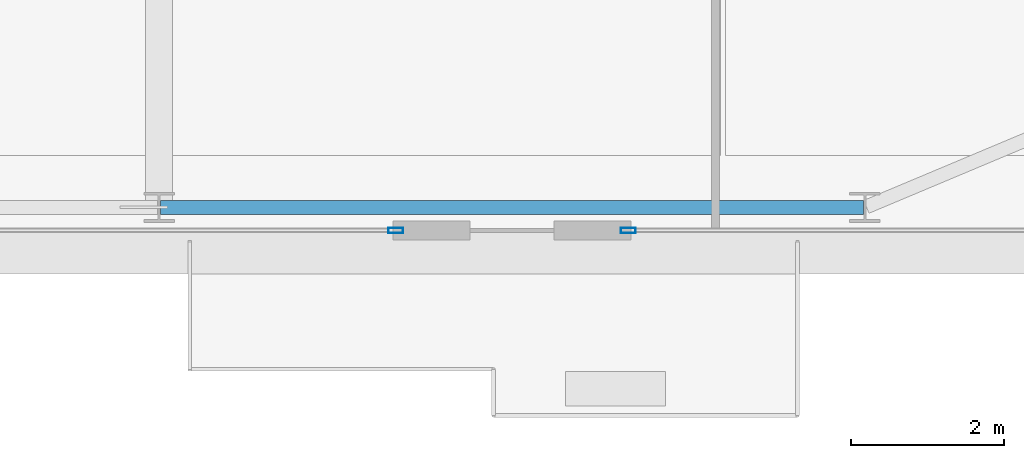
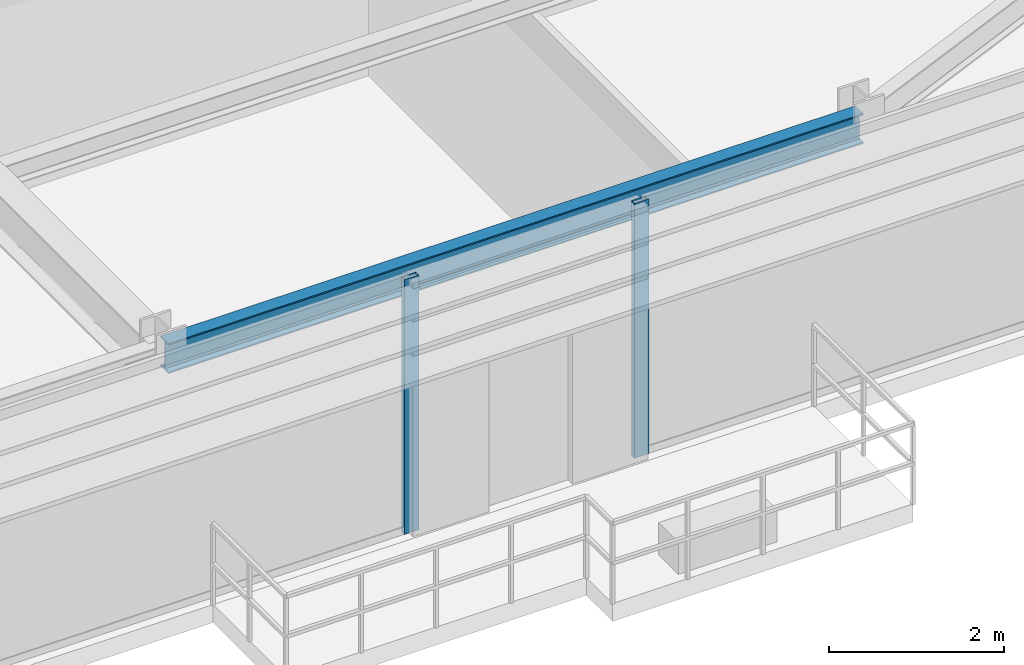
# One storey, part 12 of 36: 2 members, 1 beam, 2 elements without a shape of their own.
"""IFC4 building model written with IfcOpenShell, lengths in metres."""

from ifc_helpers import new_model, si_unit, direction, frame, origin, origin_2d, place, context, subcontext, project, spatial, hollow_rectangle, i_section, extrude, source, transform, mapped, material, layer, layer_set, material_profile, profile_set, type_object, type_shapes, element, aggregate, save


model = new_model("IFC4")

# Units and contexts
model_context = context("Model", 3, precision=1e-05, world=origin(), true_north=direction((0.0, 1.0)))
body_context = subcontext(model_context, "Body", "Model", "MODEL_VIEW")
ifc_project = project(units=[si_unit("LENGTHUNIT", "METRE"), si_unit("AREAUNIT", "SQUARE_METRE"), si_unit("VOLUMEUNIT", "CUBIC_METRE"), si_unit("PLANEANGLEUNIT", "RADIAN"), si_unit("MASSUNIT", "GRAM", prefix="KILO")], contexts=[model_context])

# Site, building, storey
site_placement = place(None, origin())
site = spatial("IfcSite", under=ifc_project, at=site_placement, CompositionType="ELEMENT")
building_placement = place(site_placement, origin())
building = spatial("IfcBuilding", under=site, at=building_placement, Name="Varnel Quay Broadcast Tower", CompositionType="ELEMENT")
storey_placement = place(building_placement, frame((0.0, 0.0, 114.39990234375)))
storey = spatial("IfcBuildingStorey", under=building, at=storey_placement, Name="L27", CompositionType="ELEMENT", Elevation=114.39990234375)

# Beam
ifc_material_1 = material(Name="Structural Steel CSA G40.21 350W", Category="steel")
ifc_material_profile_1 = material_profile(ifc_material_1, i_section(OverallWidth=0.180908203125, OverallDepth=0.4169921875, WebThickness=0.010986328125, FlangeThickness=0.018310546875, FilletRadius=0.011962890625, at=origin_2d()), Name="W410X85")
ifc_profile_set_1 = profile_set([ifc_material_profile_1], Name="Structural Steel CSA G40.21 350W")
beam_type = type_object("IfcBeamType", Name="Beam_W410X85", PredefinedType="SPANDREL", material=ifc_profile_set_1)
shared_shape_1 = source(origin(), body_context, "Body", "SweptSolid", [
    extrude(i_section(OverallWidth=0.180908203125, OverallDepth=0.4169921875, WebThickness=0.010986328125, FlangeThickness=0.018310546875, FilletRadius=0.011962890625, at=origin_2d()), origin(), (0.0, 0.0, 1.0), 9.159912109375),
])
type_shapes(beam_type, [shared_shape_1])
beam_placement = place(storey_placement, frame((43.219970703125, 4.64990234375, 3.341552734375), z_axis=(1.0, 0.0, 0.0), x_axis=(0.0, 1.0, 0.0)))
element("IfcBeam", 1, at=beam_placement, inside=storey, type_object=beam_type, Name="L27 South Spandrel TC-S4-TC-S5", PredefinedType="SPANDREL", context=body_context, shape_type="MappedRepresentation", body=[
    mapped(shared_shape_1, transform((0.0, 0.0, 0.0), x_axis=(1.0, 0.0, 0.0), y_axis=(0.0, 1.0, 0.0), z_axis=(0.0, 0.0, 1.0), scale=1.0)),
])

# Curtain wall, member
ifc_material_2 = material(Name="Anodised Bronze Aluminium 6063-T6", Category="aluminium")
ifc_layer = layer(ifc_material_2, 0.18994140625, Name="Anodised Bronze Aluminium 6063-T6")
ifc_layer_set = layer_set([ifc_layer], Name="Anodised Bronze Aluminium 6063-T6")
curtain_wall_type = type_object("IfcCurtainWallType", Name="CW_LowerTower", PredefinedType="NOTDEFINED", material=ifc_layer_set)
curtain_wall_1_placement = place(storey_placement, origin())
curtain_wall_1 = element("IfcCurtainWall", 2, at=curtain_wall_1_placement, inside=storey, type_object=curtain_wall_type, Name="L27 South Unitised Curtain Wall 2", PredefinedType="NOTDEFINED")
ifc_material_profile_2 = material_profile(ifc_material_2, hollow_rectangle(XDim=0.070068359375, YDim=0.18994140625, WallThickness=0.00390625, at=origin_2d()), Name="ALU70X190X4")
ifc_profile_set_2 = profile_set([ifc_material_profile_2], Name="Anodised Bronze Aluminium 6063-T6")
member_type = type_object("IfcMemberType", Name="Mull_CWS-02", PredefinedType="MULLION", material=ifc_profile_set_2)
shared_shape_2 = source(origin(), body_context, "Body", "SweptSolid", [
    extrude(hollow_rectangle(XDim=0.070068359375, YDim=0.18994140625, WallThickness=0.00390625, at=origin_2d()), origin(), (0.0, 0.0, 1.0), 3.550048828125),
])
type_shapes(member_type, [shared_shape_2])
member_1_placement = place(storey_placement, frame((46.284912109375, 4.35009765625, 0.0), z_axis=(0.0, 0.0, 1.0), x_axis=(0.0, 1.0, 0.0)))
member_1 = element("IfcMember", 3, at=member_1_placement, type_object=member_type, Name="CWS-02 mullion 3", PredefinedType="MULLION", context=body_context, shape_type="MappedRepresentation", body=[
    mapped(shared_shape_2, transform((0.0, 0.0, 0.0), x_axis=(1.0, 0.0, 0.0), y_axis=(0.0, 1.0, 0.0), z_axis=(0.0, 0.0, 1.0), scale=1.0)),
])
aggregate(curtain_wall_1, [member_1])

curtain_wall_2_placement = place(storey_placement, origin())
curtain_wall_2 = element("IfcCurtainWall", 4, at=curtain_wall_2_placement, inside=storey, type_object=curtain_wall_type, Name="L27 South Unitised Curtain Wall 3", PredefinedType="NOTDEFINED")
member_2_placement = place(storey_placement, frame((49.31494140625, 4.35009765625, 0.0), z_axis=(0.0, 0.0, 1.0), x_axis=(0.0, 1.0, 0.0)))
member_2 = element("IfcMember", 5, at=member_2_placement, type_object=member_type, Name="CWS-02 mullion 1", PredefinedType="MULLION", context=body_context, shape_type="MappedRepresentation", body=[
    mapped(shared_shape_2, transform((0.0, 0.0, 0.0), x_axis=(1.0, 0.0, 0.0), y_axis=(0.0, 1.0, 0.0), z_axis=(0.0, 0.0, 1.0), scale=1.0)),
])
aggregate(curtain_wall_2, [member_2])

save(model, "model.ifc")
